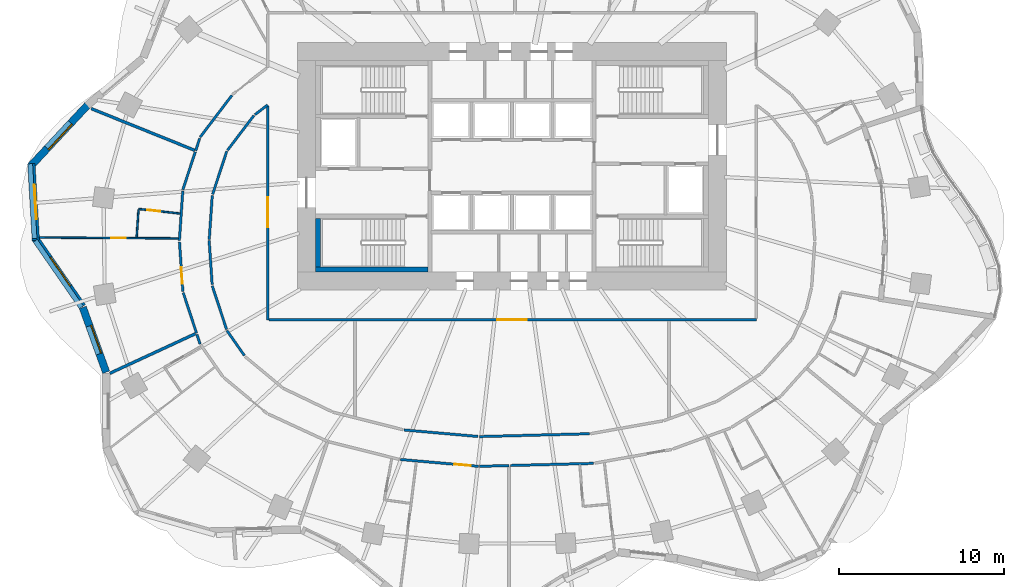
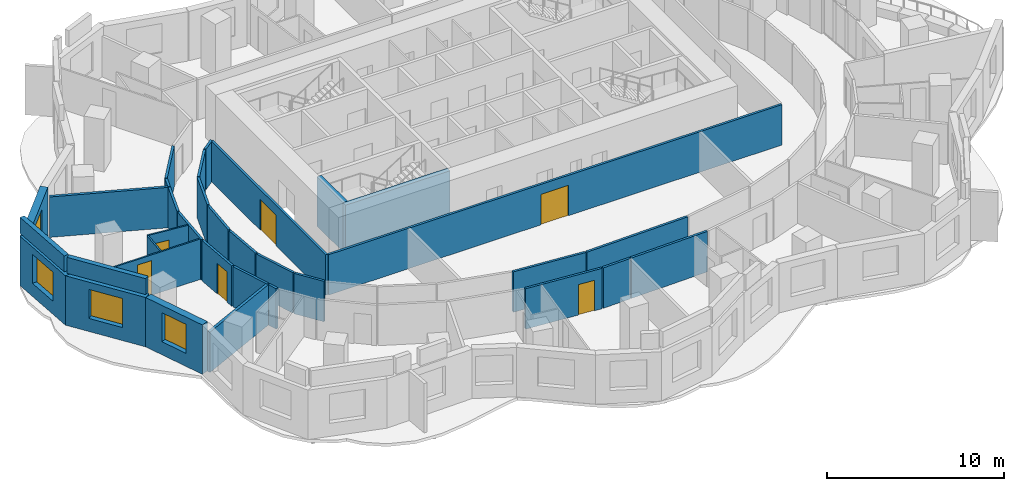
# One storey, part 5 of 13: 34 walls, 6 doors, 4 windows, 10 openings.
"""IFC4 building model written with IfcOpenShell, lengths in metres."""

from ifc_helpers import new_model, si_unit, direction, frame, frame_2d, origin, place, context, subcontext, project, spatial, rectangle, extrude, material, layer, layer_set, type_object, element, fill, save


model = new_model("IFC4")

# Units and contexts
model_context = context("Model", 3, precision=1e-05, world=origin(), true_north=direction((0.0, 1.0)))
body_context = subcontext(model_context, "Body", "Model", "MODEL_VIEW")
ifc_project = project(units=[si_unit("LENGTHUNIT", "METRE"), si_unit("AREAUNIT", "SQUARE_METRE"), si_unit("VOLUMEUNIT", "CUBIC_METRE"), si_unit("PLANEANGLEUNIT", "RADIAN"), si_unit("MASSUNIT", "GRAM", prefix="KILO")], contexts=[model_context])

# Site, building, storey
site_placement = place(None, origin())
site = spatial("IfcSite", under=ifc_project, at=site_placement, CompositionType="ELEMENT")
building_placement = place(site_placement, origin())
building = spatial("IfcBuilding", under=site, at=building_placement, Name="Rubra Terraces Tower", CompositionType="ELEMENT")
storey_placement = place(building_placement, frame((0.0, 0.0, 85.199951171875)))
storey = spatial("IfcBuildingStorey", under=building, at=storey_placement, Name="L19", CompositionType="ELEMENT", Elevation=85.199951171875)

# Walls
ifc_material_1 = material(Name="Twin plasterboard on staggered steel stud, acoustic mineral wool", Category="steel")
ifc_layer_1 = layer(ifc_material_1, 0.175048828125)
ifc_layer_set_1 = layer_set([ifc_layer_1], Name="Twin plasterboard on staggered steel stud, acoustic mineral wool")
wall_type_1 = type_object("IfcWallType", Name="ACOUSTIC PARTY WALL 175", PredefinedType="PARTITIONING", material=ifc_layer_set_1)
wall_1_placement = place(storey_placement, frame((-25.48583984375, 7.994873046875, 0.0), z_axis=(0.0, 0.0, 1.0), x_axis=(0.927461928154, -0.373917600314, 0.0)))
element("IfcWall", 1, at=wall_1_placement, inside=storey, type_object=wall_type_1, Name="PARTITION", PredefinedType="PARTITIONING", context=body_context, shape_type="SweptSolid", body=[
    extrude(rectangle(XDim=6.74267578125, YDim=0.175048828125, at=frame_2d((3.371337890625, 0.0))), origin(), (0.0, 0.0, 1.0), 2.783935546875),
])
wall_2_placement = place(storey_placement, frame((-24.36328125, -8.03955078125, 0.0), z_axis=(0.0, 0.0, 1.0), x_axis=(0.907519986797, 0.420008897006, 0.0)))
element("IfcWall", 2, at=wall_2_placement, inside=storey, type_object=wall_type_1, Name="PARTITION", PredefinedType="PARTITIONING", context=body_context, shape_type="SweptSolid", body=[
    extrude(rectangle(XDim=5.714599609375, YDim=0.175048828125, at=frame_2d((2.857421875, 0.0))), origin(), (0.0, 0.0, 1.0), 2.783935546875),
])

# Wall, opening, window
ifc_material_2 = material(Name="Brick masonry red-brown", Category="masonry")
ifc_layer_2 = layer(ifc_material_2, 0.449951171875)
ifc_layer_set_2 = layer_set([ifc_layer_2], Name="Brick masonry red-brown")
wall_type_2 = type_object("IfcWallType", Name="Brick facade wall 450", PredefinedType="SOLIDWALL", material=ifc_layer_set_2)
wall_3_placement = place(storey_placement, frame((-25.716796875, 8.20068359375, 0.0), z_axis=(0.0, 0.0, 1.0), x_axis=(-0.681990073025, -0.731361429319, 0.0)))
wall_3 = element("IfcWall", 3, at=wall_3_placement, inside=storey, type_object=wall_type_2, Name="Facade wall L19 bay 19", PredefinedType="SOLIDWALL", context=body_context, shape_type="SweptSolid", body=[
    extrude(rectangle(XDim=5.063720703125, YDim=0.449951171875, at=frame_2d((2.53173828125, 0.0))), origin(), (0.0, 0.0, 1.0), 3.400146484375),
])
opening_1_placement = place(wall_3_placement, frame((1.481689453125, 0.0, 0.89990234375)))
opening_1 = element("IfcOpeningElement", 4, at=opening_1_placement, cuts=wall_3, Name="Opening W1", PredefinedType="OPENING", context=body_context, shape_type="SweptSolid", body=[
    extrude(rectangle(XDim=2.10009765625, YDim=2.0, at=frame_2d((1.050048828125, 1.0))), frame((0.0, 0.23486328125, 0.0), z_axis=(0.0, -1.0, 0.0), x_axis=(1.0, 0.0, 0.0)), (0.0, 0.0, 1.0), 0.469970703125),
])
ifc_material_3 = material(Name="Clear glass in aluminium frame", Category="aluminium")
window_type_1 = type_object("IfcWindowType", Name="Fixed deep-set window 2100 x 2000", PartitioningType="SINGLE_PANEL", PredefinedType="WINDOW", material=ifc_material_3)
window_1_placement = place(opening_1_placement, origin())
window_1 = element("IfcWindow", 5, at=window_1_placement, inside=storey, type_object=window_type_1, Name="Window L19 bay 19", OverallHeight=2.0, OverallWidth=2.10009765625, PartitioningType="SINGLE_PANEL", PredefinedType="WINDOW", context=body_context, shape_type="SweptSolid", body=[
    extrude(rectangle(XDim=2.10009765625, YDim=2.0, at=frame_2d((1.050048828125, 1.0))), frame((0.0, 0.135009765625, 0.0), z_axis=(0.0, -1.0, 0.0), x_axis=(1.0, 0.0, 0.0)), (0.0, 0.0, 1.0), 0.06005859375),
])
fill(opening_1, window_1)

wall_4_placement = place(storey_placement, frame((-29.11328125, 4.66015625, 0.0), z_axis=(0.0, 0.0, 1.0), x_axis=(0.058217785859, -0.998303906338, 0.0)))
wall_4 = element("IfcWall", 6, at=wall_4_placement, inside=storey, type_object=wall_type_2, Name="Facade wall L19 bay 20", PredefinedType="SOLIDWALL", context=body_context, shape_type="SweptSolid", body=[
    extrude(rectangle(XDim=4.65478515625, YDim=0.449951171875, at=frame_2d((2.327392578125, 0.0))), origin(), (0.0, 0.0, 1.0), 3.400146484375),
])
opening_2_placement = place(wall_4_placement, frame((1.27734375, 0.0, 0.89990234375)))
opening_2 = element("IfcOpeningElement", 7, at=opening_2_placement, cuts=wall_4, Name="Opening W1", PredefinedType="OPENING", context=body_context, shape_type="SweptSolid", body=[
    extrude(rectangle(XDim=2.10009765625, YDim=2.0, at=frame_2d((1.050048828125, 1.0))), frame((0.0, 0.23486328125, 0.0), z_axis=(0.0, -1.0, 0.0), x_axis=(1.0, 0.0, 0.0)), (0.0, 0.0, 1.0), 0.469970703125),
])
window_2_placement = place(opening_2_placement, origin())
window_2 = element("IfcWindow", 8, at=window_2_placement, inside=storey, type_object=window_type_1, Name="Window L19 bay 20", OverallHeight=2.0, OverallWidth=2.10009765625, PartitioningType="SINGLE_PANEL", PredefinedType="WINDOW", context=body_context, shape_type="SweptSolid", body=[
    extrude(rectangle(XDim=2.10009765625, YDim=2.0, at=frame_2d((1.050048828125, 1.0))), frame((0.0, 0.135009765625, 0.0), z_axis=(0.0, -1.0, 0.0), x_axis=(1.0, 0.0, 0.0)), (0.0, 0.0, 1.0), 0.06005859375),
])
fill(opening_2, window_2)

wall_5_placement = place(storey_placement, frame((-28.87841796875, 0.122802734375, 0.0), z_axis=(0.0, 0.0, 1.0), x_axis=(0.569394732999, -0.8220642542, 0.0)))
wall_5 = element("IfcWall", 9, at=wall_5_placement, inside=storey, type_object=wall_type_2, Name="Facade wall L19 bay 21", PredefinedType="SOLIDWALL", context=body_context, shape_type="SweptSolid", body=[
    extrude(rectangle(XDim=5.015869140625, YDim=0.449951171875, at=frame_2d((2.5078125, 0.0))), origin(), (0.0, 0.0, 1.0), 3.400146484375),
])
opening_3_placement = place(wall_5_placement, frame((1.4580078125, 0.0, 0.89990234375)))
opening_3 = element("IfcOpeningElement", 10, at=opening_3_placement, cuts=wall_5, Name="Opening W1", PredefinedType="OPENING", context=body_context, shape_type="SweptSolid", body=[
    extrude(rectangle(XDim=2.10009765625, YDim=2.0, at=frame_2d((1.050048828125, 1.0))), frame((0.0, 0.23486328125, 0.0), z_axis=(0.0, -1.0, 0.0), x_axis=(1.0, 0.0, 0.0)), (0.0, 0.0, 1.0), 0.469970703125),
])
window_3_placement = place(opening_3_placement, origin())
window_3 = element("IfcWindow", 11, at=window_3_placement, inside=storey, type_object=window_type_1, Name="Window L19 bay 21", OverallHeight=2.0, OverallWidth=2.10009765625, PartitioningType="SINGLE_PANEL", PredefinedType="WINDOW", context=body_context, shape_type="SweptSolid", body=[
    extrude(rectangle(XDim=2.10009765625, YDim=2.0, at=frame_2d((1.050048828125, 1.0))), frame((0.0, 0.135009765625, 0.0), z_axis=(0.0, -1.0, 0.0), x_axis=(1.0, 0.0, 0.0)), (0.0, 0.0, 1.0), 0.06005859375),
])
fill(opening_3, window_3)

wall_6_placement = place(storey_placement, frame((-25.99951171875, -4.047119140625, 0.0), z_axis=(0.0, 0.0, 1.0), x_axis=(0.338924456066, -0.940813591037, 0.0)))
wall_6 = element("IfcWall", 12, at=wall_6_placement, inside=storey, type_object=wall_type_2, Name="Facade wall L19 bay 22", PredefinedType="SOLIDWALL", context=body_context, shape_type="SweptSolid", body=[
    extrude(rectangle(XDim=4.175048828125, YDim=0.449951171875, at=frame_2d((2.08740234375, 0.0))), origin(), (0.0, 0.0, 1.0), 3.400146484375),
])
opening_4_placement = place(wall_6_placement, frame((1.1875, 0.0, 0.89990234375)))
opening_4 = element("IfcOpeningElement", 13, at=opening_4_placement, cuts=wall_6, Name="Opening W6", PredefinedType="OPENING", context=body_context, shape_type="SweptSolid", body=[
    extrude(rectangle(XDim=1.800048828125, YDim=2.0, at=frame_2d((0.89990234375, 1.0))), frame((0.0, 0.23486328125, 0.0), z_axis=(0.0, -1.0, 0.0), x_axis=(1.0, 0.0, 0.0)), (0.0, 0.0, 1.0), 0.469970703125),
])
window_type_2 = type_object("IfcWindowType", Name="Fixed deep-set window at wind fin 1800 x 2000", PartitioningType="SINGLE_PANEL", PredefinedType="WINDOW", material=ifc_material_3)
window_4_placement = place(opening_4_placement, origin())
window_4 = element("IfcWindow", 14, at=window_4_placement, inside=storey, type_object=window_type_2, Name="Window L19 bay 22", OverallHeight=2.0, OverallWidth=1.800048828125, PartitioningType="SINGLE_PANEL", PredefinedType="WINDOW", context=body_context, shape_type="SweptSolid", body=[
    extrude(rectangle(XDim=1.800048828125, YDim=2.0, at=frame_2d((0.89990234375, 1.0))), frame((0.0, 0.135009765625, 0.0), z_axis=(0.0, -1.0, 0.0), x_axis=(1.0, 0.0, 0.0)), (0.0, 0.0, 1.0), 0.06005859375),
])
fill(opening_4, window_4)

# Walls
ifc_layer_3 = layer(ifc_material_2, 0.300048828125)
ifc_layer_set_3 = layer_set([ifc_layer_3], Name="Brick masonry red-brown")
wall_type_3 = type_object("IfcWallType", Name="Brick parapet 300", PredefinedType="PARAPET", material=ifc_layer_set_3)
wall_7_placement = place(storey_placement, frame((-29.188232421875, 4.65576171875, 3.60009765625), z_axis=(0.0, 0.0, 1.0), x_axis=(0.058230319325, -0.998303175349, 0.0)))
element("IfcWall", 15, at=wall_7_placement, inside=storey, type_object=wall_type_3, Name="Parapet L19 bay 20", PredefinedType="PARAPET", context=body_context, shape_type="SweptSolid", body=[
    extrude(rectangle(XDim=4.540771484375, YDim=0.300048828125, at=frame_2d((2.2705078125, 0.0))), origin(), (0.0, 0.0, 1.0), 1.099853515625),
])
wall_8_placement = place(storey_placement, frame((-28.878662109375, -0.008544921875, 3.60009765625), z_axis=(0.0, 0.0, 1.0), x_axis=(0.569370412902, -0.822081098744, 0.0)))
element("IfcWall", 16, at=wall_8_placement, inside=storey, type_object=wall_type_3, Name="Parapet L19 bay 21", PredefinedType="PARAPET", context=body_context, shape_type="SweptSolid", body=[
    extrude(rectangle(XDim=4.90576171875, YDim=0.300048828125, at=frame_2d((2.452880859375, 0.0))), origin(), (0.0, 0.0, 1.0), 1.099853515625),
])
ifc_material_4 = material(Name="Plasterboard on steel stud, mineral wool infill", Category="steel")
ifc_layer_4 = layer(ifc_material_4, 0.14990234375)
ifc_layer_set_4 = layer_set([ifc_layer_4], Name="Plasterboard on steel stud, mineral wool infill")
wall_type_4 = type_object("IfcWallType", Name="CORRIDOR PARTITION 150", PredefinedType="PARTITIONING", material=ifc_layer_set_4)
wall_9_placement = place(storey_placement, frame((-16.966796875, 8.799560546875, 0.0), z_axis=(0.0, 0.0, 1.0), x_axis=(-0.604991921991, -0.796231608469, 0.0)))
element("IfcWall", 17, at=wall_9_placement, inside=storey, type_object=wall_type_4, Name="PARTITION", PredefinedType="PARTITIONING", context=body_context, shape_type="SweptSolid", body=[
    extrude(rectangle(XDim=3.18505859375, YDim=0.14990234375, at=frame_2d((1.592529296875, 0.0))), origin(), (0.0, 0.0, 1.0), 2.783935546875),
])
wall_10_placement = place(storey_placement, frame((-18.917236328125, 6.192138671875, 0.0), z_axis=(0.0, 0.0, 1.0), x_axis=(-0.312217378101, -0.950010688788, 0.0)))
element("IfcWall", 18, at=wall_10_placement, inside=storey, type_object=wall_type_4, Name="PARTITION", PredefinedType="PARTITIONING", context=body_context, shape_type="SweptSolid", body=[
    extrude(rectangle(XDim=0.785888671875, YDim=0.14990234375, at=frame_2d((0.39306640625, 0.0))), origin(), (0.0, 0.0, 1.0), 2.783935546875),
])
wall_11_placement = place(storey_placement, frame((-19.185791015625, 5.374267578125, 0.0), z_axis=(0.0, 0.0, 1.0), x_axis=(-0.312120623237, -0.950042481445, 0.0)))
element("IfcWall", 19, at=wall_11_placement, inside=storey, type_object=wall_type_4, Name="PARTITION", PredefinedType="PARTITIONING", context=body_context, shape_type="SweptSolid", body=[
    extrude(rectangle(XDim=2.4091796875, YDim=0.14990234375, at=frame_2d((1.20458984375, 0.0))), origin(), (0.0, 0.0, 1.0), 2.783935546875),
])
wall_12_placement = place(storey_placement, frame((-19.94287109375, 3.0107421875, 0.0), z_axis=(0.0, 0.0, 1.0), x_axis=(-0.068280105787, -0.997666190243, 0.0)))
element("IfcWall", 20, at=wall_12_placement, inside=storey, type_object=wall_type_4, Name="PARTITION", PredefinedType="PARTITIONING", context=body_context, shape_type="SweptSolid", body=[
    extrude(rectangle(XDim=3.017822265625, YDim=0.14990234375, at=frame_2d((1.5087890625, 0.0))), origin(), (0.0, 0.0, 1.0), 2.783935546875),
])

# Wall, opening, door
wall_13_placement = place(storey_placement, frame((-20.143798828125, -0.07470703125, 0.0), z_axis=(0.0, 0.0, 1.0), x_axis=(0.068280105787, -0.997666190243, 0.0)))
wall_13 = element("IfcWall", 21, at=wall_13_placement, inside=storey, type_object=wall_type_4, Name="PARTITION", PredefinedType="PARTITIONING", context=body_context, shape_type="SweptSolid", body=[
    extrude(rectangle(XDim=3.017822265625, YDim=0.14990234375, at=frame_2d((1.5087890625, 0.0))), origin(), (0.0, 0.0, 1.0), 2.783935546875),
])
opening_5_placement = place(wall_13_placement, frame((1.550048828125, 0.0, 0.0)))
opening_5 = element("IfcOpeningElement", 22, at=opening_5_placement, cuts=wall_13, Name="Opening 19-114", PredefinedType="OPENING", context=body_context, shape_type="SweptSolid", body=[
    extrude(rectangle(XDim=1.0, YDim=2.10009765625, at=frame_2d((0.5, 1.050048828125))), frame((0.0, 0.0849609375, 0.0), z_axis=(0.0, -1.0, 0.0), x_axis=(1.0, 0.0, 0.0)), (0.0, 0.0, 1.0), 0.169921875),
])
ifc_material_5 = material(Name="Painted timber door leaf", Category="wood")
door_type_1 = type_object("IfcDoorType", Name="ROOM DOOR 1000 X 2100", OperationType="SINGLE_SWING_LEFT", PredefinedType="DOOR", material=ifc_material_5)
door_1_placement = place(opening_5_placement, origin())
door_1 = element("IfcDoor", 23, at=door_1_placement, inside=storey, type_object=door_type_1, Name="DOOR 19-114", OperationType="SINGLE_SWING_RIGHT", OverallHeight=2.10009765625, OverallWidth=1.0, PredefinedType="DOOR", context=body_context, shape_type="SweptSolid", body=[
    extrude(rectangle(XDim=1.0, YDim=2.10009765625, at=frame_2d((0.5, 1.050048828125))), frame((0.0, 0.02490234375, 0.0), z_axis=(0.0, -1.0, 0.0), x_axis=(1.0, 0.0, 0.0)), (0.0, 0.0, 1.0), 0.050048828125),
])
fill(opening_5, door_1)

# Walls
wall_14_placement = place(storey_placement, frame((-19.914306640625, -3.15673828125, 0.0), z_axis=(0.0, 0.0, 1.0), x_axis=(0.312080082352, -0.950055799519, 0.0)))
element("IfcWall", 24, at=wall_14_placement, inside=storey, type_object=wall_type_4, Name="PARTITION", PredefinedType="PARTITIONING", context=body_context, shape_type="SweptSolid", body=[
    extrude(rectangle(XDim=2.580078125, YDim=0.14990234375, at=frame_2d((1.2900390625, 0.0))), origin(), (0.0, 0.0, 1.0), 2.783935546875),
])
wall_15_placement = place(storey_placement, frame((-19.085693359375, -5.67919921875, 0.0), z_axis=(0.0, 0.0, 1.0), x_axis=(0.312056025641, -0.950063701475, 0.0)))
element("IfcWall", 25, at=wall_15_placement, inside=storey, type_object=wall_type_4, Name="PARTITION", PredefinedType="PARTITIONING", context=body_context, shape_type="SweptSolid", body=[
    extrude(rectangle(XDim=0.614990234375, YDim=0.14990234375, at=frame_2d((0.3076171875, 0.0))), origin(), (0.0, 0.0, 1.0), 2.783935546875),
])

# Wall, opening, door
wall_16_placement = place(storey_placement, frame((-6.76953125, -13.256591796875, 0.0), z_axis=(0.0, 0.0, 1.0), x_axis=(0.996139758015, -0.08778144737, 0.0)))
wall_16 = element("IfcWall", 26, at=wall_16_placement, inside=storey, type_object=wall_type_4, Name="PARTITION", PredefinedType="PARTITIONING", context=body_context, shape_type="SweptSolid", body=[
    extrude(rectangle(XDim=4.755859375, YDim=0.14990234375, at=frame_2d((2.3779296875, 0.0))), origin(), (0.0, 0.0, 1.0), 2.783935546875),
])
opening_6_placement = place(wall_16_placement, frame((3.299072265625, 0.0, 0.0)))
opening_6 = element("IfcOpeningElement", 27, at=opening_6_placement, cuts=wall_16, Name="Opening 19-120", PredefinedType="OPENING", context=body_context, shape_type="SweptSolid", body=[
    extrude(rectangle(XDim=1.0, YDim=2.10009765625, at=frame_2d((0.5, 1.050048828125))), frame((0.0, 0.0849609375, 0.0), z_axis=(0.0, -1.0, 0.0), x_axis=(1.0, 0.0, 0.0)), (0.0, 0.0, 1.0), 0.169921875),
])
door_2_placement = place(opening_6_placement, origin())
door_2 = element("IfcDoor", 28, at=door_2_placement, inside=storey, type_object=door_type_1, Name="DOOR 19-120", OperationType="SINGLE_SWING_RIGHT", OverallHeight=2.10009765625, OverallWidth=1.0, PredefinedType="DOOR", context=body_context, shape_type="SweptSolid", body=[
    extrude(rectangle(XDim=1.0, YDim=2.10009765625, at=frame_2d((0.5, 1.050048828125))), frame((0.0, 0.02490234375, 0.0), z_axis=(0.0, -1.0, 0.0), x_axis=(1.0, 0.0, 0.0)), (0.0, 0.0, 1.0), 0.050048828125),
])
fill(opening_6, door_2)

# Walls
wall_17_placement = place(storey_placement, frame((-1.95703125, -13.672119140625, 0.0), z_axis=(0.0, 0.0, 1.0), x_axis=(0.999665927146, 0.025846355709, 0.0)))
element("IfcWall", 29, at=wall_17_placement, inside=storey, type_object=wall_type_4, Name="PARTITION", PredefinedType="PARTITIONING", context=body_context, shape_type="SweptSolid", body=[
    extrude(rectangle(XDim=1.78515625, YDim=0.14990234375, at=frame_2d((0.892578125, 0.0))), origin(), (0.0, 0.0, 1.0), 2.783935546875),
])
wall_18_placement = place(storey_placement, frame((-0.097412109375, -13.6240234375, 0.0), z_axis=(0.0, 0.0, 1.0), x_axis=(0.999664134342, 0.025915603618, 0.0)))
element("IfcWall", 30, at=wall_18_placement, inside=storey, type_object=wall_type_4, Name="PARTITION", PredefinedType="PARTITIONING", context=body_context, shape_type="SweptSolid", body=[
    extrude(rectangle(XDim=5.0400390625, YDim=0.14990234375, at=frame_2d((2.52001953125, 0.0))), origin(), (0.0, 0.0, 1.0), 2.783935546875),
])
wall_19_placement = place(storey_placement, frame((4.684326171875, -11.69921875, 0.0), z_axis=(0.0, 0.0, 1.0), x_axis=(-0.999663438204, -0.025942442425, 0.0)))
element("IfcWall", 31, at=wall_19_placement, inside=storey, type_object=wall_type_4, Name="PARTITION", PredefinedType="PARTITIONING", context=body_context, shape_type="SweptSolid", body=[
    extrude(rectangle(XDim=6.662841796875, YDim=0.14990234375, at=frame_2d((3.33154296875, 0.0))), origin(), (0.0, 0.0, 1.0), 2.783935546875),
])
wall_20_placement = place(storey_placement, frame((-2.05078125, -11.865478515625, 0.0), z_axis=(0.0, 0.0, 1.0), x_axis=(-0.996139599493, 0.087783246245, 0.0)))
element("IfcWall", 32, at=wall_20_placement, inside=storey, type_object=wall_type_4, Name="PARTITION", PredefinedType="PARTITIONING", context=body_context, shape_type="SweptSolid", body=[
    extrude(rectangle(XDim=4.510986328125, YDim=0.14990234375, at=frame_2d((2.25537109375, 0.0))), origin(), (0.0, 0.0, 1.0), 2.783935546875),
])
wall_21_placement = place(storey_placement, frame((-16.20947265625, -6.9658203125, 0.0), z_axis=(0.0, 0.0, 1.0), x_axis=(-0.572051367607, 0.820217795966, 0.0)))
element("IfcWall", 33, at=wall_21_placement, inside=storey, type_object=wall_type_4, Name="PARTITION", PredefinedType="PARTITIONING", context=body_context, shape_type="SweptSolid", body=[
    extrude(rectangle(XDim=1.84765625, YDim=0.14990234375, at=frame_2d((0.923828125, 0.0))), origin(), (0.0, 0.0, 1.0), 2.783935546875),
])
wall_22_placement = place(storey_placement, frame((-17.289794921875, -5.379150390625, 0.0), z_axis=(0.0, 0.0, 1.0), x_axis=(-0.312009486843, 0.950078986253, 0.0)))
element("IfcWall", 34, at=wall_22_placement, inside=storey, type_object=wall_type_4, Name="PARTITION", PredefinedType="PARTITIONING", context=body_context, shape_type="SweptSolid", body=[
    extrude(rectangle(XDim=2.780029296875, YDim=0.14990234375, at=frame_2d((1.39013671875, 0.0))), origin(), (0.0, 0.0, 1.0), 2.783935546875),
])
for number, where, z_axis, x_axis, name in (
    (35, (-18.162353515625, -2.6630859375, 0.0), (0.0, 0.0, 1.0), (-0.068321828968, 0.997663333839, 0.0), "PARTITION"),
    (36, (-18.339599609375, 0.07470703125, 0.0), (0.0, 0.0, 1.0), (0.068321828968, 0.997663333839, 0.0), "PARTITION"),
):
    element("IfcWall", number, at=place(storey_placement, frame(where, z_axis=z_axis, x_axis=x_axis)), inside=storey, type_object=wall_type_4, Name=name, PredefinedType="PARTITIONING", context=body_context, shape_type="SweptSolid", body=[
        extrude(rectangle(XDim=2.66943359375, YDim=0.14990234375, at=frame_2d((1.334716796875, 0.0))), origin(), (0.0, 0.0, 1.0), 2.783935546875),
    ])
wall_23_placement = place(storey_placement, frame((-18.1337890625, 2.80908203125, 0.0), z_axis=(0.0, 0.0, 1.0), x_axis=(0.312005223814, 0.950080386237, 0.0)))
element("IfcWall", 37, at=wall_23_placement, inside=storey, type_object=wall_type_4, Name="PARTITION", PredefinedType="PARTITIONING", context=body_context, shape_type="SweptSolid", body=[
    extrude(rectangle(XDim=2.74267578125, YDim=0.14990234375, at=frame_2d((1.371337890625, 0.0))), origin(), (0.0, 0.0, 1.0), 2.783935546875),
])
wall_24_placement = place(storey_placement, frame((-17.232666015625, 5.474609375, 0.0), z_axis=(0.0, 0.0, 1.0), x_axis=(0.605024750549, 0.796206663639, 0.0)))
element("IfcWall", 38, at=wall_24_placement, inside=storey, type_object=wall_type_4, Name="PARTITION", PredefinedType="PARTITIONING", context=body_context, shape_type="SweptSolid", body=[
    extrude(rectangle(XDim=2.644775390625, YDim=0.14990234375, at=frame_2d((1.322265625, 0.0))), origin(), (0.0, 0.0, 1.0), 2.783935546875),
])
wall_25_placement = place(storey_placement, frame((-15.572998046875, 7.626220703125, 0.0), z_axis=(0.0, 0.0, 1.0), x_axis=(0.791581834002, 0.611063171921, 0.0)))
element("IfcWall", 39, at=wall_25_placement, inside=storey, type_object=wall_type_4, Name="PARTITION", PredefinedType="PARTITIONING", context=body_context, shape_type="SweptSolid", body=[
    extrude(rectangle(XDim=0.9765625, YDim=0.14990234375, at=frame_2d((0.48828125, 0.0))), origin(), (0.0, 0.0, 1.0), 2.783935546875),
])

# Wall, opening, door
wall_26_placement = place(storey_placement, frame((-14.800048828125, 8.14794921875, 0.0), z_axis=(0.0, 0.0, 1.0), x_axis=(0.0, -1.0, 0.0)))
wall_26 = element("IfcWall", 40, at=wall_26_placement, inside=storey, type_object=wall_type_4, Name="PARTITION", PredefinedType="PARTITIONING", context=body_context, shape_type="SweptSolid", body=[
    extrude(rectangle(XDim=12.947998046875, YDim=0.14990234375, at=frame_2d((6.47412109375, 0.0))), origin(), (0.0, 0.0, 1.0), 2.783935546875),
])
opening_7_placement = place(wall_26_placement, frame((5.535888671875, 0.0, 0.0)))
opening_7 = element("IfcOpeningElement", 41, at=opening_7_placement, cuts=wall_26, Name="Opening 19-130", PredefinedType="OPENING", context=body_context, shape_type="SweptSolid", body=[
    extrude(rectangle(XDim=1.800048828125, YDim=2.10009765625, at=frame_2d((0.89990234375, 1.050048828125))), frame((0.0, 0.0849609375, 0.0), z_axis=(0.0, -1.0, 0.0), x_axis=(1.0, 0.0, 0.0)), (0.0, 0.0, 1.0), 0.169921875),
])
ifc_material_6 = material(Name="Painted timber door leaf, double", Category="wood")
door_type_2 = type_object("IfcDoorType", Name="ROOM DOUBLE DOOR 1800 X 2100", OperationType="DOUBLE_DOOR_SINGLE_SWING", PredefinedType="DOOR", material=ifc_material_6)
door_3_placement = place(opening_7_placement, origin())
door_3 = element("IfcDoor", 42, at=door_3_placement, inside=storey, type_object=door_type_2, Name="DOOR 19-130", OperationType="DOUBLE_DOOR_SINGLE_SWING", OverallHeight=2.10009765625, OverallWidth=1.800048828125, PredefinedType="DOOR", context=body_context, shape_type="SweptSolid", body=[
    extrude(rectangle(XDim=1.800048828125, YDim=2.10009765625, at=frame_2d((0.89990234375, 1.050048828125))), frame((0.0, 0.02490234375, 0.0), z_axis=(0.0, -1.0, 0.0), x_axis=(1.0, 0.0, 0.0)), (0.0, 0.0, 1.0), 0.050048828125),
])
fill(opening_7, door_3)

wall_27_placement = place(storey_placement, frame((-14.72509765625, -4.800048828125, 0.0), z_axis=(0.0, 0.0, 1.0), x_axis=(1.0, 0.0, 0.0)))
wall_27 = element("IfcWall", 43, at=wall_27_placement, inside=storey, type_object=wall_type_4, Name="PARTITION", PredefinedType="PARTITIONING", context=body_context, shape_type="SweptSolid", body=[
    extrude(rectangle(XDim=29.525146484375, YDim=0.14990234375, at=frame_2d((14.7626953125, 0.0))), origin(), (0.0, 0.0, 1.0), 2.783935546875),
])
opening_8_placement = place(wall_27_placement, frame((13.824951171875, 0.0, 0.0)))
opening_8 = element("IfcOpeningElement", 44, at=opening_8_placement, cuts=wall_27, Name="Opening 19-131", PredefinedType="OPENING", context=body_context, shape_type="SweptSolid", body=[
    extrude(rectangle(XDim=1.800048828125, YDim=2.10009765625, at=frame_2d((0.89990234375, 1.050048828125))), frame((0.0, 0.0849609375, 0.0), z_axis=(0.0, -1.0, 0.0), x_axis=(1.0, 0.0, 0.0)), (0.0, 0.0, 1.0), 0.169921875),
])
door_4_placement = place(opening_8_placement, origin())
door_4 = element("IfcDoor", 45, at=door_4_placement, inside=storey, type_object=door_type_2, Name="DOOR 19-131", OperationType="DOUBLE_DOOR_SINGLE_SWING", OverallHeight=2.10009765625, OverallWidth=1.800048828125, PredefinedType="DOOR", context=body_context, shape_type="SweptSolid", body=[
    extrude(rectangle(XDim=1.800048828125, YDim=2.10009765625, at=frame_2d((0.89990234375, 1.050048828125))), frame((0.0, 0.02490234375, 0.0), z_axis=(0.0, -1.0, 0.0), x_axis=(1.0, 0.0, 0.0)), (0.0, 0.0, 1.0), 0.050048828125),
])
fill(opening_8, door_4)

# Walls
ifc_material_7 = material(Name="Concrete C40", Category="concrete")
ifc_layer_5 = layer(ifc_material_7, 0.300048828125)
ifc_layer_set_5 = layer_set([ifc_layer_5], Name="Concrete C40")
wall_type_5 = type_object("IfcWallType", Name="Core lining wall 300 concrete", PredefinedType="SOLIDWALL", material=ifc_layer_set_5)
wall_28_placement = place(storey_placement, frame((-11.89990234375, -1.75, 0.0), z_axis=(0.0, 0.0, 1.0), x_axis=(1.0, 0.0, 0.0)))
element("IfcWall", 46, at=wall_28_placement, inside=storey, type_object=wall_type_5, Name="CORE LINING WALL L19", PredefinedType="SOLIDWALL", context=body_context, shape_type="SweptSolid", body=[
    extrude(rectangle(XDim=6.7998046875, YDim=0.300048828125, at=frame_2d((3.39990234375, 0.0))), origin(), (0.0, 0.0, 1.0), 3.400146484375),
])
wall_29_placement = place(storey_placement, frame((-11.75, -1.60009765625, 0.0), z_axis=(0.0, 0.0, 1.0), x_axis=(0.0, 1.0, 0.0)))
element("IfcWall", 47, at=wall_29_placement, inside=storey, type_object=wall_type_5, Name="CORE LINING WALL L19", PredefinedType="SOLIDWALL", context=body_context, shape_type="SweptSolid", body=[
    extrude(rectangle(XDim=2.9501953125, YDim=0.300048828125, at=frame_2d((1.47509765625, 0.0))), origin(), (0.0, 0.0, 1.0), 3.400146484375),
])

# Wall, opening, door
ifc_material_8 = material(Name="Plasterboard on steel stud", Category="steel")
ifc_layer_6 = layer(ifc_material_8, 0.10009765625)
ifc_layer_set_6 = layer_set([ifc_layer_6], Name="Plasterboard on steel stud")
wall_type_6 = type_object("IfcWallType", Name="ROOM PARTITION 100", PredefinedType="PARTITIONING", material=ifc_layer_set_6)
wall_30_placement = place(storey_placement, frame((-28.623046875, 0.185791015625, 0.0), z_axis=(0.0, 0.0, 1.0), x_axis=(0.99998228608, -0.005952102687, 0.0)))
wall_30 = element("IfcWall", 48, at=wall_30_placement, inside=storey, type_object=wall_type_6, Name="PARTITION", PredefinedType="PARTITIONING", context=body_context, shape_type="SweptSolid", body=[
    extrude(rectangle(XDim=8.40869140625, YDim=0.10009765625, at=frame_2d((4.204345703125, 0.0))), origin(), (0.0, 0.0, 1.0), 2.783935546875),
])
opening_9_placement = place(wall_30_placement, frame((4.333984375, 0.0, 0.0)))
opening_9 = element("IfcOpeningElement", 49, at=opening_9_placement, cuts=wall_30, Name="Opening 19-113", PredefinedType="OPENING", context=body_context, shape_type="SweptSolid", body=[
    extrude(rectangle(XDim=0.89990234375, YDim=2.39990234375, at=frame_2d((0.449951171875, 1.199951171875))), frame((0.0, 0.06005859375, 0.0), z_axis=(0.0, -1.0, 0.0), x_axis=(1.0, 0.0, 0.0)), (0.0, 0.0, 1.0), 0.1201171875),
])
ifc_material_9 = material(Name="Veneered timber door leaf, fire-rated", Category="wood")
door_type_3 = type_object("IfcDoorType", Name="SUITE ENTRANCE DOOR 900 X 2400", OperationType="SINGLE_SWING_LEFT", PredefinedType="DOOR", material=ifc_material_9)
door_5_placement = place(opening_9_placement, origin())
door_5 = element("IfcDoor", 50, at=door_5_placement, inside=storey, type_object=door_type_3, Name="DOOR 19-113", OperationType="SINGLE_SWING_LEFT", OverallHeight=2.39990234375, OverallWidth=0.89990234375, PredefinedType="DOOR", context=body_context, shape_type="SweptSolid", body=[
    extrude(rectangle(XDim=0.89990234375, YDim=2.39990234375, at=frame_2d((0.449951171875, 1.199951171875))), frame((0.0, 0.02490234375, 0.0), z_axis=(0.0, -1.0, 0.0), x_axis=(1.0, 0.0, 0.0)), (0.0, 0.0, 1.0), 0.050048828125),
])
fill(opening_9, door_5)

wall_31_placement = place(storey_placement, frame((-20.11181640625, 1.64013671875, 0.0), z_axis=(0.0, 0.0, 1.0), x_axis=(-0.994054696252, 0.108881866535, 0.0)))
wall_31 = element("IfcWall", 51, at=wall_31_placement, inside=storey, type_object=wall_type_6, Name="PARTITION", PredefinedType="PARTITIONING", context=body_context, shape_type="SweptSolid", body=[
    extrude(rectangle(XDim=2.524658203125, YDim=0.10009765625, at=frame_2d((1.26220703125, 0.0))), origin(), (0.0, 0.0, 1.0), 2.783935546875),
])
opening_10_placement = place(wall_31_placement, frame((1.199951171875, 0.0, 0.0)))
opening_10 = element("IfcOpeningElement", 52, at=opening_10_placement, cuts=wall_31, Name="Opening 19-112", PredefinedType="OPENING", context=body_context, shape_type="SweptSolid", body=[
    extrude(rectangle(XDim=0.800048828125, YDim=2.10009765625, at=frame_2d((0.39990234375, 1.050048828125))), frame((0.0, 0.06005859375, 0.0), z_axis=(0.0, -1.0, 0.0), x_axis=(1.0, 0.0, 0.0)), (0.0, 0.0, 1.0), 0.1201171875),
])
door_type_4 = type_object("IfcDoorType", Name="BATHROOM DOOR 800 X 2100", OperationType="SINGLE_SWING_LEFT", PredefinedType="DOOR", material=ifc_material_5)
door_6_placement = place(opening_10_placement, origin())
door_6 = element("IfcDoor", 53, at=door_6_placement, inside=storey, type_object=door_type_4, Name="DOOR 19-112", OperationType="SINGLE_SWING_LEFT", OverallHeight=2.10009765625, OverallWidth=0.800048828125, PredefinedType="DOOR", context=body_context, shape_type="SweptSolid", body=[
    extrude(rectangle(XDim=0.800048828125, YDim=2.10009765625, at=frame_2d((0.39990234375, 1.050048828125))), frame((0.0, 0.02490234375, 0.0), z_axis=(0.0, -1.0, 0.0), x_axis=(1.0, 0.0, 0.0)), (0.0, 0.0, 1.0), 0.050048828125),
])
fill(opening_10, door_6)

# Wall
wall_32_placement = place(storey_placement, frame((-22.625, 1.865234375, 0.0), z_axis=(0.0, 0.0, 1.0), x_axis=(-0.066732696604, -0.997770889134, 0.0)))
element("IfcWall", 54, at=wall_32_placement, inside=storey, type_object=wall_type_6, Name="PARTITION", PredefinedType="PARTITIONING", context=body_context, shape_type="SweptSolid", body=[
    extrude(rectangle(XDim=1.668212890625, YDim=0.10009765625, at=frame_2d((0.833984375, 0.0))), origin(), (0.0, 0.0, 1.0), 2.783935546875),
])

save(model, "model.ifc")
